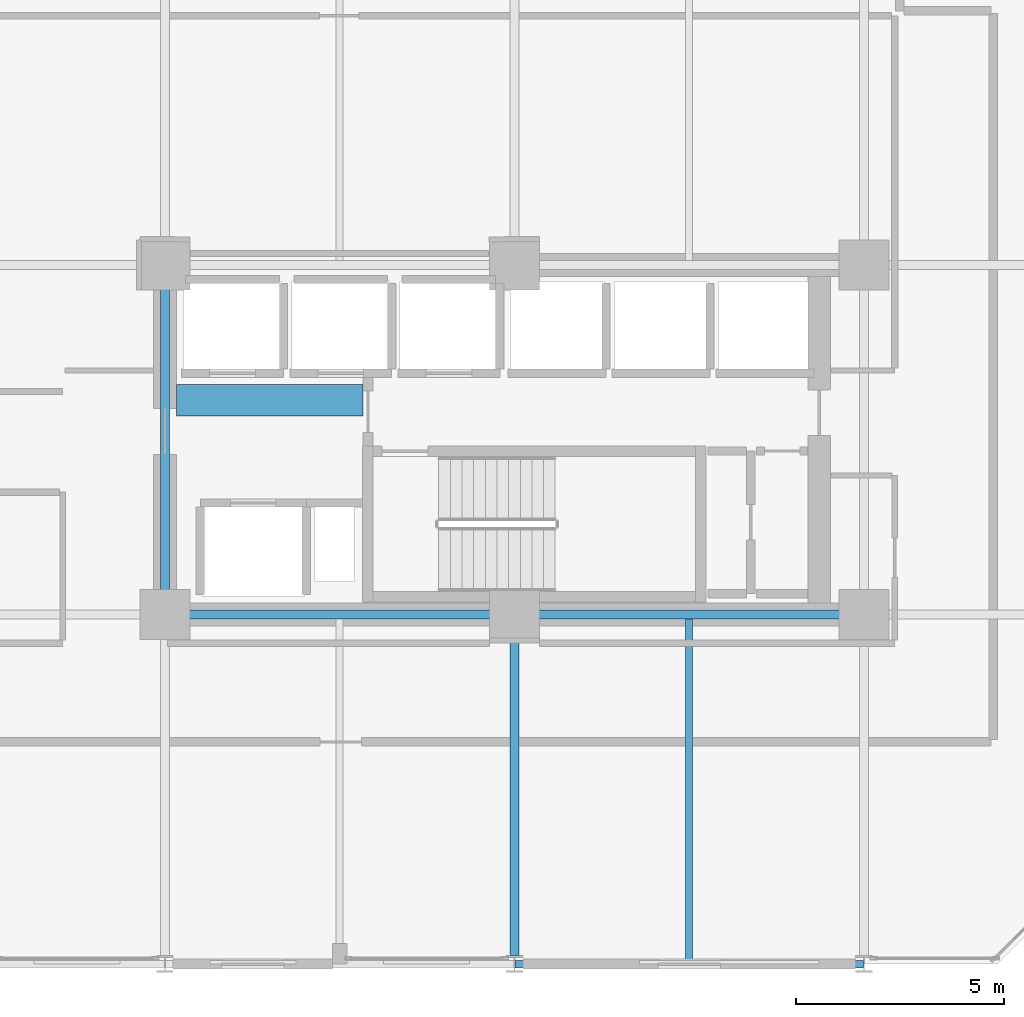
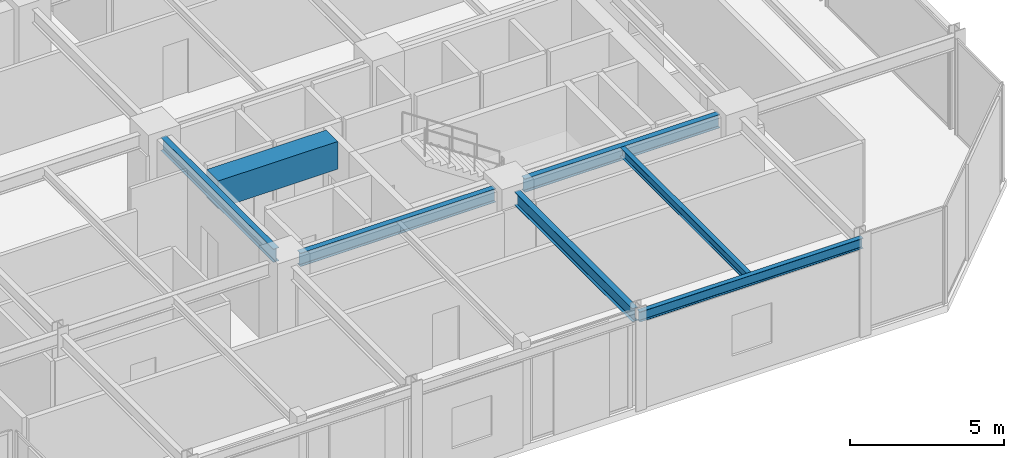
# One storey, part 7 of 29: 7 beams.
"""IFC4 building model written with IfcOpenShell, lengths in metres."""

from ifc_helpers import new_model, si_unit, direction, frame, origin, origin_2d, place, context, subcontext, project, spatial, rectangle, i_section, extrude, material, material_profile, profile_set, type_object, element, save


model = new_model("IFC4")

# Units and contexts
model_context = context("Model", 3, precision=1e-05, world=origin(), true_north=direction((0.0, 1.0)))
body_context = subcontext(model_context, "Body", "Model", "MODEL_VIEW")
ifc_project = project(units=[si_unit("LENGTHUNIT", "METRE"), si_unit("AREAUNIT", "SQUARE_METRE"), si_unit("VOLUMEUNIT", "CUBIC_METRE"), si_unit("PLANEANGLEUNIT", "RADIAN"), si_unit("MASSUNIT", "GRAM", prefix="KILO")], contexts=[model_context])

# Site, building, storey
site_placement = place(None, origin())
site = spatial("IfcSite", under=ifc_project, at=site_placement, CompositionType="ELEMENT")
building_placement = place(site_placement, origin())
building = spatial("IfcBuilding", under=site, at=building_placement, Name="Nerrivon Quay Data Exchange", CompositionType="ELEMENT")
storey_placement = place(building_placement, frame((0.0, 0.0, 137.699951171875)))
storey = spatial("IfcBuildingStorey", under=building, at=storey_placement, Name="L32", CompositionType="ELEMENT", Elevation=137.699951171875)

# Beams
ifc_material_1 = material(Name="Concrete S65 (65 MPa)", Category="concrete")
ifc_material_profile_1 = material_profile(ifc_material_1, rectangle(XDim=0.75, YDim=1.10009765625, at=origin_2d()), Name="RC-CB-750x1100")
ifc_profile_set_1 = profile_set([ifc_material_profile_1], Name="Concrete S65 (65 MPa)")
beam_type_1 = type_object("IfcBeamType", Name="BM-CB1-750x1100", PredefinedType="LINTEL", material=ifc_profile_set_1)
beam_1_placement = place(storey_placement, frame((17.074951171875, 13.550048828125, 3.275146484375), z_axis=(1.0, 0.0, 0.0), x_axis=(0.0, 1.0, 0.0)))
element("IfcBeam", 1, at=beam_1_placement, inside=storey, type_object=beam_type_1, Name="L32 East Core Coupling Beam", PredefinedType="LINTEL", context=body_context, shape_type="SweptSolid", body=[
    extrude(rectangle(XDim=0.75, YDim=1.10009765625, at=origin_2d()), origin(), (0.0, 0.0, 1.0), 4.47998046875),
])
ifc_material_2 = material(Name="Steel Grade 350", Category="steel")
ifc_material_profile_2 = material_profile(ifc_material_2, i_section(OverallWidth=0.208984375, OverallDepth=0.532958984375, WebThickness=0.01025390625, FlangeThickness=0.015625, FilletRadius=0.013916015625, at=origin_2d()), Name="530UB92.4")
ifc_profile_set_2 = profile_set([ifc_material_profile_2], Name="Steel Grade 350")
beam_type_2 = type_object("IfcBeamType", Name="BM-G3-530UB92", PredefinedType="BEAM", material=ifc_profile_set_2)
beam_2_placement = place(storey_placement, frame((17.340087890625, 8.39990234375, 3.55859375), z_axis=(1.0, 0.0, 0.0), x_axis=(0.0, 1.0, 0.0)))
element("IfcBeam", 2, at=beam_2_placement, inside=storey, type_object=beam_type_2, Name="L32 EW Girder Y=8.4 (16.8..25.2)", PredefinedType="BEAM", context=body_context, shape_type="SweptSolid", body=[
    extrude(i_section(OverallWidth=0.208984375, OverallDepth=0.532958984375, WebThickness=0.01025390625, FlangeThickness=0.015625, FilletRadius=0.013916015625, at=origin_2d()), origin(), (0.0, 0.0, 1.0), 7.31982421875),
])
beam_3_placement = place(storey_placement, frame((25.739990234375, 8.39990234375, 3.55859375), z_axis=(1.0, 0.0, 0.0), x_axis=(0.0, 1.0, 0.0)))
element("IfcBeam", 3, at=beam_3_placement, inside=storey, type_object=beam_type_2, Name="L32 EW Girder Y=8.4 (25.2..33.6)", PredefinedType="BEAM", context=body_context, shape_type="SweptSolid", body=[
    extrude(i_section(OverallWidth=0.208984375, OverallDepth=0.532958984375, WebThickness=0.01025390625, FlangeThickness=0.015625, FilletRadius=0.013916015625, at=origin_2d()), origin(), (0.0, 0.0, 1.0), 7.320068359375),
])
ifc_material_profile_3 = material_profile(ifc_material_2, i_section(OverallWidth=0.208984375, OverallDepth=0.528076171875, WebThickness=0.009521484375, FlangeThickness=0.01318359375, FilletRadius=0.013916015625, at=origin_2d()), Name="530UB82.0")
ifc_profile_set_3 = profile_set([ifc_material_profile_3], Name="Steel Grade 350")
beam_type_3 = type_object("IfcBeamType", Name="BM-G4-530UB82", PredefinedType="BEAM", material=ifc_profile_set_3)
beam_4_placement = place(storey_placement, frame((16.800048828125, 8.93994140625, 3.56103515625), z_axis=(0.0, 1.0, 0.0), x_axis=(-1.0, 0.0, 0.0)))
element("IfcBeam", 4, at=beam_4_placement, inside=storey, type_object=beam_type_3, Name="L32 NS Girder X=16.8 (8.4..16.8)", PredefinedType="BEAM", context=body_context, shape_type="SweptSolid", body=[
    extrude(i_section(OverallWidth=0.208984375, OverallDepth=0.528076171875, WebThickness=0.009521484375, FlangeThickness=0.01318359375, FilletRadius=0.013916015625, at=origin_2d()), origin(), (0.0, 0.0, 1.0), 7.320068359375),
])
beam_5_placement = place(storey_placement, frame((25.199951171875, 0.199951171875, 3.56103515625), z_axis=(0.0, 1.0, 0.0), x_axis=(-1.0, 0.0, 0.0)))
element("IfcBeam", 5, at=beam_5_placement, inside=storey, type_object=beam_type_3, Name="L32 NS Girder X=25.2 (0.0..8.4)", PredefinedType="BEAM", context=body_context, shape_type="SweptSolid", body=[
    extrude(i_section(OverallWidth=0.208984375, OverallDepth=0.528076171875, WebThickness=0.009521484375, FlangeThickness=0.01318359375, FilletRadius=0.013916015625, at=origin_2d()), origin(), (0.0, 0.0, 1.0), 7.66015625),
])
ifc_material_profile_4 = material_profile(ifc_material_2, i_section(OverallWidth=0.1708984375, OverallDepth=0.35595703125, WebThickness=0.00732421875, FlangeThickness=0.011474609375, FilletRadius=0.011474609375, at=origin_2d()), Name="360UB50.7")
ifc_profile_set_4 = profile_set([ifc_material_profile_4], Name="Steel Grade 350")
beam_type_4 = type_object("IfcBeamType", Name="BM-J4-360UB51", PredefinedType="JOIST", material=ifc_profile_set_4)
beam_6_placement = place(storey_placement, frame((29.39990234375, 0.089111328125, 3.64697265625), z_axis=(0.0, 1.0, 0.0), x_axis=(-1.0, 0.0, 0.0)))
element("IfcBeam", 6, at=beam_6_placement, inside=storey, type_object=beam_type_4, Name="L32 Secondary Joist X=29.4 (0.0..8.4)", PredefinedType="JOIST", context=body_context, shape_type="SweptSolid", body=[
    extrude(i_section(OverallWidth=0.1708984375, OverallDepth=0.35595703125, WebThickness=0.00732421875, FlangeThickness=0.011474609375, FilletRadius=0.011474609375, at=origin_2d()), origin(), (0.0, 0.0, 1.0), 8.206298828125),
])
ifc_material_profile_5 = material_profile(ifc_material_2, i_section(OverallWidth=0.177978515625, OverallDepth=0.403076171875, WebThickness=0.007568359375, FlangeThickness=0.010986328125, FilletRadius=0.011474609375, at=origin_2d()), Name="410UB53.7")
ifc_profile_set_5 = profile_set([ifc_material_profile_5], Name="Steel Grade 350")
beam_type_5 = type_object("IfcBeamType", Name="BM-SP2-410UB54", PredefinedType="SPANDREL", material=ifc_profile_set_5)
beam_7_placement = place(storey_placement, frame((25.21240234375, 0.0, 3.62353515625), z_axis=(1.0, 0.0, 0.0), x_axis=(0.0, 1.0, 0.0)))
element("IfcBeam", 7, at=beam_7_placement, inside=storey, type_object=beam_type_5, Name="L32 EW Girder Y=0.0 (25.2..33.6)", PredefinedType="SPANDREL", context=body_context, shape_type="SweptSolid", body=[
    extrude(i_section(OverallWidth=0.177978515625, OverallDepth=0.403076171875, WebThickness=0.007568359375, FlangeThickness=0.010986328125, FilletRadius=0.011474609375, at=origin_2d()), origin(), (0.0, 0.0, 1.0), 8.375),
])

save(model, "model.ifc")
